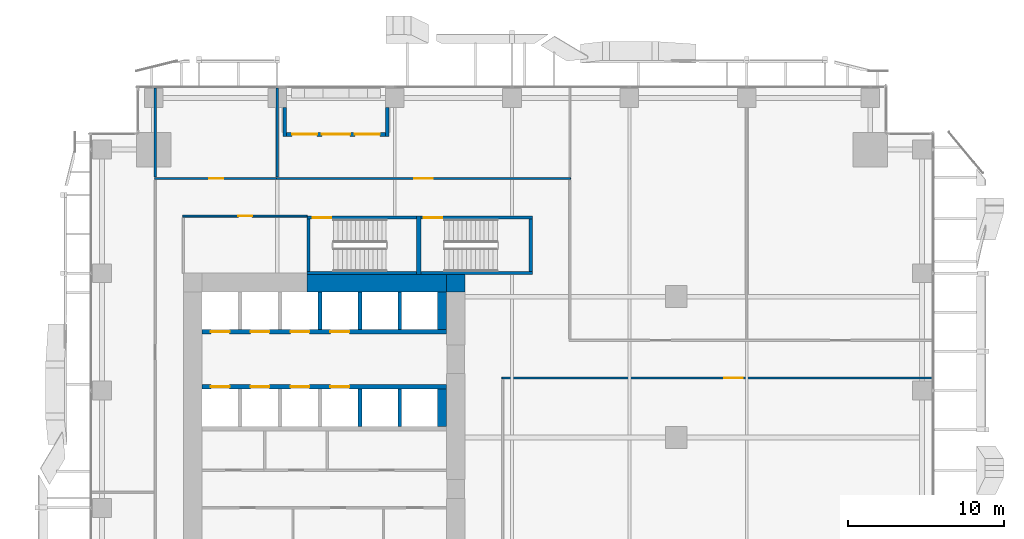
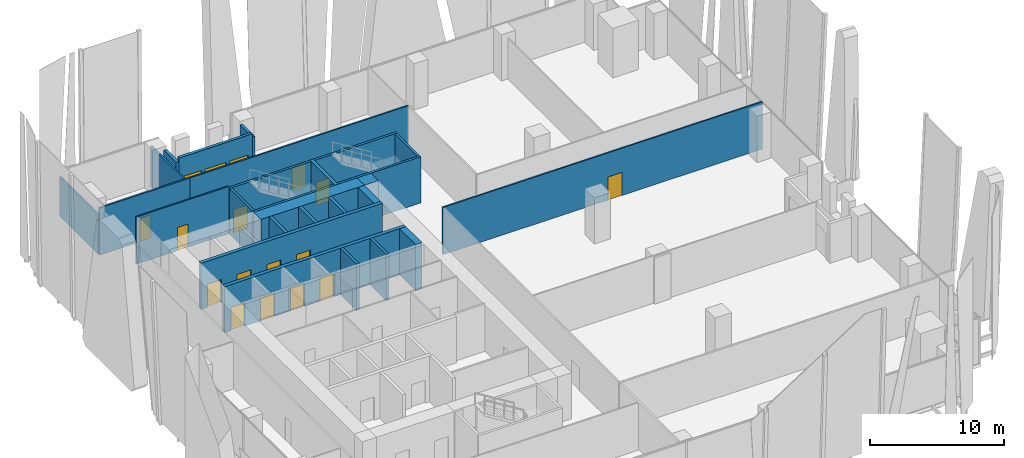
# One storey, part 28 of 34: 27 walls, 15 doors, 2 windows, 17 openings.
"""IFC4 building model written with IfcOpenShell, lengths in metres."""

from ifc_helpers import new_model, si_unit, direction, frame, frame_2d, origin, place, context, subcontext, project, spatial, rectangle, extrude, source, transform, mapped, material, layer, layer_set, type_object, element, fill, save


model = new_model("IFC4")

# Units and contexts
model_context = context("Model", 3, precision=1e-05, world=origin(), true_north=direction((0.0, 1.0)))
body_context = subcontext(model_context, "Body", "Model", "MODEL_VIEW")
ifc_project = project(units=[si_unit("LENGTHUNIT", "METRE"), si_unit("AREAUNIT", "SQUARE_METRE"), si_unit("VOLUMEUNIT", "CUBIC_METRE"), si_unit("PLANEANGLEUNIT", "RADIAN"), si_unit("MASSUNIT", "GRAM", prefix="KILO")], contexts=[model_context])

# Site, building, storey
site_placement = place(None, origin())
site = spatial("IfcSite", under=ifc_project, at=site_placement, CompositionType="ELEMENT")
building_placement = place(site_placement, origin())
building = spatial("IfcBuilding", under=site, at=building_placement, Name="Khomas Fold Tower", CompositionType="ELEMENT")
storey_placement = place(building_placement, frame((0.0, 0.0, 73.5)))
storey = spatial("IfcBuildingStorey", under=building, at=storey_placement, Name="L15", CompositionType="ELEMENT", Elevation=73.5)

# Walls
ifc_material_1 = material(Name="Concrete C70/85", Category="concrete")
ifc_layer_1 = layer(ifc_material_1, 1.10009765625)
ifc_layer_set_1 = layer_set([ifc_layer_1], Name="Concrete C70/85")
wall_type_1 = type_object("IfcWallType", Name="Core wall 1100", PredefinedType="SHEAR", material=ifc_layer_set_1)
shared_shape_1 = source(origin(), body_context, "Body", "SweptSolid", [
    extrude(rectangle(XDim=8.900146484375, YDim=1.10009765625, at=frame_2d((4.4501953125, 0.0))), origin(), (0.0, 0.0, 1.0), 4.199951171875),
])
wall_1_placement = place(storey_placement, frame((13.89990234375, 41.35009765625, 0.0), z_axis=(0.0, 0.0, 1.0), x_axis=(1.0, 0.0, 0.0)))
element("IfcWall", 1, at=wall_1_placement, inside=storey, type_object=wall_type_1, Name="Core wall CW-L-N-B2-1", PredefinedType="SHEAR", context=body_context, shape_type="MappedRepresentation", body=[
    mapped(shared_shape_1, transform((0.0, 0.0, 0.0))),
])
ifc_material_2 = material(Name="Concrete C70/85", Category="concrete")
ifc_layer_2 = layer(ifc_material_2, 1.10009765625)
ifc_layer_set_2 = layer_set([ifc_layer_2], Name="Concrete C70/85")
wall_type_2 = type_object("IfcWallType", Name="Core corner wall 1100", PredefinedType="SHEAR", material=ifc_layer_set_2)
shared_shape_2 = source(origin(), body_context, "Body", "SweptSolid", [
    extrude(rectangle(XDim=1.199951171875, YDim=1.10009765625, at=frame_2d((0.60009765625, 0.0))), origin(), (0.0, 0.0, 1.0), 4.199951171875),
])
wall_2_placement = place(storey_placement, frame((22.800048828125, 41.35009765625, 0.0), z_axis=(0.0, 0.0, 1.0), x_axis=(1.0, 0.0, 0.0)))
element("IfcWall", 2, at=wall_2_placement, inside=storey, type_object=wall_type_2, Name="Core wall CW-L-NE-B2", PredefinedType="SHEAR", context=body_context, shape_type="MappedRepresentation", body=[
    mapped(shared_shape_2, transform((0.0, 0.0, 0.0))),
])

# Wall, opening, door
ifc_material_3 = material(Name="Concrete C50/60", Category="concrete")
ifc_layer_3 = layer(ifc_material_3, 0.199951171875)
ifc_layer_set_3 = layer_set([ifc_layer_3], Name="Concrete C50/60")
wall_type_3 = type_object("IfcWallType", Name="Stair wall 200", PredefinedType="SHEAR", material=ifc_layer_set_3)
shared_shape_3 = source(origin(), body_context, "Body", "SweptSolid", [
    extrude(rectangle(XDim=7.0, YDim=0.199951171875, at=frame_2d((3.5, 0.0))), origin(), (0.0, 0.0, 1.0), 4.199951171875),
])
wall_3_placement = place(storey_placement, frame((13.89990234375, 45.550048828125, 0.0), z_axis=(0.0, 0.0, 1.0), x_axis=(1.0, 0.0, 0.0)))
wall_3 = element("IfcWall", 3, at=wall_3_placement, inside=storey, type_object=wall_type_3, Name="Stair wall SW-ST1-N", PredefinedType="SHEAR", context=body_context, shape_type="MappedRepresentation", body=[
    mapped(shared_shape_3, transform((0.0, 0.0, 0.0))),
])
shared_shape_4 = source(origin(), body_context, "Body", "SweptSolid", [
    extrude(rectangle(XDim=1.199951171875, YDim=2.10009765625, at=frame_2d((0.60009765625, 1.050048828125))), frame((0.0, 0.10986328125, 0.0), z_axis=(0.0, -1.0, 0.0), x_axis=(1.0, 0.0, 0.0)), (0.0, 0.0, 1.0), 0.219970703125),
])
opening_1_placement = place(wall_3_placement, frame((0.35009765625, 0.0, 0.0)))
opening_1 = element("IfcOpeningElement", 4, at=opening_1_placement, cuts=wall_3, Name="Opening SD-ST1", PredefinedType="OPENING", context=body_context, shape_type="MappedRepresentation", body=[
    mapped(shared_shape_4, transform((0.0, 0.0, 0.0))),
])
ifc_material_4 = material(Name="Steel door leaf", Category="steel")
door_type_1 = type_object("IfcDoorType", Name="Stair door 1200x2100 left-hand", OperationType="SINGLE_SWING_LEFT", PredefinedType="DOOR", material=ifc_material_4)
shared_shape_5 = source(origin(), body_context, "Body", "SweptSolid", [
    extrude(rectangle(XDim=1.199951171875, YDim=2.10009765625, at=frame_2d((0.60009765625, 1.050048828125))), frame((0.0, 0.02490234375, 0.0), z_axis=(0.0, -1.0, 0.0), x_axis=(1.0, 0.0, 0.0)), (0.0, 0.0, 1.0), 0.050048828125),
])
door_1_placement = place(opening_1_placement, origin())
door_1 = element("IfcDoor", 5, at=door_1_placement, inside=storey, type_object=door_type_1, Name="Stair door", OperationType="SINGLE_SWING_LEFT", OverallHeight=2.10009765625, OverallWidth=1.199951171875, PredefinedType="DOOR", context=body_context, shape_type="MappedRepresentation", body=[
    mapped(shared_shape_5, transform((0.0, 0.0, 0.0))),
])
fill(opening_1, door_1)

# Wall
wall_4_placement = place(storey_placement, frame((13.89990234375, 42.0, 0.0), z_axis=(0.0, 0.0, 1.0), x_axis=(1.0, 0.0, 0.0)))
element("IfcWall", 6, at=wall_4_placement, inside=storey, type_object=wall_type_3, Name="Stair wall SW-ST1-S", PredefinedType="SHEAR", context=body_context, shape_type="MappedRepresentation", body=[
    mapped(shared_shape_3, transform((0.0, 0.0, 0.0))),
])

# Wall, opening, door
shared_shape_6 = source(origin(), body_context, "Body", "SweptSolid", [
    extrude(rectangle(XDim=7.10009765625, YDim=0.199951171875, at=frame_2d((3.550048828125, 0.0))), origin(), (0.0, 0.0, 1.0), 4.199951171875),
])
wall_5_placement = place(storey_placement, frame((21.199951171875, 45.550048828125, 0.0), z_axis=(0.0, 0.0, 1.0), x_axis=(1.0, 0.0, 0.0)))
wall_5 = element("IfcWall", 7, at=wall_5_placement, inside=storey, type_object=wall_type_3, Name="Stair wall SW-ST3-N", PredefinedType="SHEAR", context=body_context, shape_type="MappedRepresentation", body=[
    mapped(shared_shape_6, transform((0.0, 0.0, 0.0))),
])
opening_2_placement = place(wall_5_placement, frame((0.14990234375, 0.0, 0.0)))
opening_2 = element("IfcOpeningElement", 8, at=opening_2_placement, cuts=wall_5, Name="Opening SD-ST3", PredefinedType="OPENING", context=body_context, shape_type="MappedRepresentation", body=[
    mapped(shared_shape_4, transform((0.0, 0.0, 0.0))),
])
door_2_placement = place(opening_2_placement, origin())
door_2 = element("IfcDoor", 9, at=door_2_placement, inside=storey, type_object=door_type_1, Name="Stair door", OperationType="SINGLE_SWING_LEFT", OverallHeight=2.10009765625, OverallWidth=1.199951171875, PredefinedType="DOOR", context=body_context, shape_type="MappedRepresentation", body=[
    mapped(shared_shape_5, transform((0.0, 0.0, 0.0))),
])
fill(opening_2, door_2)

# Walls
wall_6_placement = place(storey_placement, frame((21.199951171875, 42.0, 0.0), z_axis=(0.0, 0.0, 1.0), x_axis=(1.0, 0.0, 0.0)))
element("IfcWall", 10, at=wall_6_placement, inside=storey, type_object=wall_type_3, Name="Stair wall SW-ST3-S", PredefinedType="SHEAR", context=body_context, shape_type="MappedRepresentation", body=[
    mapped(shared_shape_6, transform((0.0, 0.0, 0.0))),
])
ifc_material_5 = material(Name="Concrete C50/60", Category="concrete")
ifc_layer_4 = layer(ifc_material_5, 0.300048828125)
ifc_layer_set_4 = layer_set([ifc_layer_4], Name="Concrete C50/60")
wall_type_4 = type_object("IfcWallType", Name="Stair wall 300", PredefinedType="SHEAR", material=ifc_layer_set_4)
shared_shape_7 = source(origin(), body_context, "Body", "SweptSolid", [
    extrude(rectangle(XDim=3.75, YDim=0.300048828125, at=frame_2d((1.875, 0.0))), origin(), (0.0, 0.0, 1.0), 4.199951171875),
])
wall_7_placement = place(storey_placement, frame((21.050048828125, 41.89990234375, 0.0), z_axis=(0.0, 0.0, 1.0), x_axis=(0.0, 1.0, 0.0)))
element("IfcWall", 11, at=wall_7_placement, inside=storey, type_object=wall_type_4, Name="Stair wall SW-ST1-E", PredefinedType="SHEAR", context=body_context, shape_type="MappedRepresentation", body=[
    mapped(shared_shape_7, transform((0.0, 0.0, 0.0))),
])
shared_shape_8 = source(origin(), body_context, "Body", "SweptSolid", [
    extrude(rectangle(XDim=3.349853515625, YDim=0.199951171875, at=frame_2d((1.6748046875, 0.0))), origin(), (0.0, 0.0, 1.0), 4.199951171875),
])
for number, where, z_axis, x_axis, name in (
    (12, (14.0, 42.10009765625, 0.0), (0.0, 0.0, 1.0), (0.0, 1.0, 0.0), "Stair wall SW-ST1-W"),
    (13, (28.199951171875, 42.10009765625, 0.0), (0.0, 0.0, 1.0), (0.0, 1.0, 0.0), "Stair wall SW-ST3-E"),
):
    element("IfcWall", number, at=place(storey_placement, frame(where, z_axis=z_axis, x_axis=x_axis)), inside=storey, type_object=wall_type_3, Name=name, PredefinedType="SHEAR", context=body_context, shape_type="MappedRepresentation", body=[
        mapped(shared_shape_8, transform((0.0, 0.0, 0.0))),
    ])

# Wall, openings, doors
ifc_material_6 = material(Name="Concrete C50/60", Category="concrete")
ifc_layer_5 = layer(ifc_material_6, 0.300048828125)
ifc_layer_set_5 = layer_set([ifc_layer_5], Name="Concrete C50/60")
wall_type_5 = type_object("IfcWallType", Name="Shaft wall 300", PredefinedType="STANDARD", material=ifc_layer_set_5)
shared_shape_9 = source(origin(), body_context, "Body", "SweptSolid", [
    extrude(rectangle(XDim=15.60009765625, YDim=0.300048828125, at=frame_2d((7.800048828125, 0.0))), origin(), (0.0, 0.0, 1.0), 4.199951171875),
])
wall_8_placement = place(storey_placement, frame((7.199951171875, 38.25, 0.0), z_axis=(0.0, 0.0, 1.0), x_axis=(1.0, 0.0, 0.0)))
wall_8 = element("IfcWall", 14, at=wall_8_placement, inside=storey, type_object=wall_type_5, Name="Core wall SW-LRN-F", PredefinedType="STANDARD", context=body_context, shape_type="MappedRepresentation", body=[
    mapped(shared_shape_9, transform((0.0, 0.0, 0.0))),
])
shared_shape_10 = source(origin(), body_context, "Body", "SweptSolid", [
    extrude(rectangle(XDim=1.199951171875, YDim=2.10009765625, at=frame_2d((0.60009765625, 1.050048828125))), frame((0.0, 0.159912109375, 0.0), z_axis=(0.0, -1.0, 0.0), x_axis=(1.0, 0.0, 0.0)), (0.0, 0.0, 1.0), 0.320068359375),
])
opening_3_placement = place(wall_8_placement, frame((0.550048828125, 0.0, 0.0)))
opening_3 = element("IfcOpeningElement", 15, at=opening_3_placement, cuts=wall_8, Name="Opening LD-LR5", PredefinedType="OPENING", context=body_context, shape_type="MappedRepresentation", body=[
    mapped(shared_shape_10, transform((0.0, 0.0, 0.0))),
])
opening_4_placement = place(wall_8_placement, frame((3.10009765625, 0.0, 0.0)))
opening_4 = element("IfcOpeningElement", 16, at=opening_4_placement, cuts=wall_8, Name="Opening LD-LR6", PredefinedType="OPENING", context=body_context, shape_type="MappedRepresentation", body=[
    mapped(shared_shape_10, transform((0.0, 0.0, 0.0))),
])
opening_5_placement = place(wall_8_placement, frame((5.64990234375, 0.0, 0.0)))
opening_5 = element("IfcOpeningElement", 17, at=opening_5_placement, cuts=wall_8, Name="Opening LD-LR7", PredefinedType="OPENING", context=body_context, shape_type="MappedRepresentation", body=[
    mapped(shared_shape_10, transform((0.0, 0.0, 0.0))),
])
opening_6_placement = place(wall_8_placement, frame((8.199951171875, 0.0, 0.0)))
opening_6 = element("IfcOpeningElement", 18, at=opening_6_placement, cuts=wall_8, Name="Opening LD-LR8", PredefinedType="OPENING", context=body_context, shape_type="MappedRepresentation", body=[
    mapped(shared_shape_10, transform((0.0, 0.0, 0.0))),
])
ifc_material_7 = material(Name="Steel door leaf", Category="steel")
door_type_2 = type_object("IfcDoorType", Name="Landing door 1200x2100", OperationType="DOUBLE_DOOR_SLIDING", PredefinedType="DOOR", material=ifc_material_7)
door_3_placement = place(opening_3_placement, origin())
door_3 = element("IfcDoor", 19, at=door_3_placement, inside=storey, type_object=door_type_2, Name="Lift landing door", OperationType="DOUBLE_DOOR_SLIDING", OverallHeight=2.10009765625, OverallWidth=1.199951171875, PredefinedType="DOOR", context=body_context, shape_type="MappedRepresentation", body=[
    mapped(shared_shape_5, transform((0.0, 0.0, 0.0))),
])
fill(opening_3, door_3)
door_4_placement = place(opening_4_placement, origin())
door_4 = element("IfcDoor", 20, at=door_4_placement, inside=storey, type_object=door_type_2, Name="Lift landing door", OperationType="DOUBLE_DOOR_SLIDING", OverallHeight=2.10009765625, OverallWidth=1.199951171875, PredefinedType="DOOR", context=body_context, shape_type="MappedRepresentation", body=[
    mapped(shared_shape_5, transform((0.0, 0.0, 0.0))),
])
fill(opening_4, door_4)
door_5_placement = place(opening_5_placement, origin())
door_5 = element("IfcDoor", 21, at=door_5_placement, inside=storey, type_object=door_type_2, Name="Lift landing door", OperationType="DOUBLE_DOOR_SLIDING", OverallHeight=2.10009765625, OverallWidth=1.199951171875, PredefinedType="DOOR", context=body_context, shape_type="MappedRepresentation", body=[
    mapped(shared_shape_5, transform((0.0, 0.0, 0.0))),
])
fill(opening_5, door_5)
door_6_placement = place(opening_6_placement, origin())
door_6 = element("IfcDoor", 22, at=door_6_placement, inside=storey, type_object=door_type_2, Name="Lift landing door", OperationType="DOUBLE_DOOR_SLIDING", OverallHeight=2.10009765625, OverallWidth=1.199951171875, PredefinedType="DOOR", context=body_context, shape_type="MappedRepresentation", body=[
    mapped(shared_shape_5, transform((0.0, 0.0, 0.0))),
])
fill(opening_6, door_6)

wall_9_placement = place(storey_placement, frame((7.199951171875, 34.75, 0.0), z_axis=(0.0, 0.0, 1.0), x_axis=(1.0, 0.0, 0.0)))
wall_9 = element("IfcWall", 23, at=wall_9_placement, inside=storey, type_object=wall_type_5, Name="Core wall SW-LRS-F", PredefinedType="STANDARD", context=body_context, shape_type="MappedRepresentation", body=[
    mapped(shared_shape_9, transform((0.0, 0.0, 0.0))),
])
opening_7_placement = place(wall_9_placement, frame((0.550048828125, 0.0, 0.0)))
opening_7 = element("IfcOpeningElement", 24, at=opening_7_placement, cuts=wall_9, Name="Opening LD-LR1", PredefinedType="OPENING", context=body_context, shape_type="MappedRepresentation", body=[
    mapped(shared_shape_10, transform((0.0, 0.0, 0.0))),
])
opening_8_placement = place(wall_9_placement, frame((3.10009765625, 0.0, 0.0)))
opening_8 = element("IfcOpeningElement", 25, at=opening_8_placement, cuts=wall_9, Name="Opening LD-LR2", PredefinedType="OPENING", context=body_context, shape_type="MappedRepresentation", body=[
    mapped(shared_shape_10, transform((0.0, 0.0, 0.0))),
])
opening_9_placement = place(wall_9_placement, frame((5.64990234375, 0.0, 0.0)))
opening_9 = element("IfcOpeningElement", 26, at=opening_9_placement, cuts=wall_9, Name="Opening LD-LR3", PredefinedType="OPENING", context=body_context, shape_type="MappedRepresentation", body=[
    mapped(shared_shape_10, transform((0.0, 0.0, 0.0))),
])
opening_10_placement = place(wall_9_placement, frame((8.199951171875, 0.0, 0.0)))
opening_10 = element("IfcOpeningElement", 27, at=opening_10_placement, cuts=wall_9, Name="Opening LD-LR4", PredefinedType="OPENING", context=body_context, shape_type="MappedRepresentation", body=[
    mapped(shared_shape_10, transform((0.0, 0.0, 0.0))),
])
door_7_placement = place(opening_7_placement, origin())
door_7 = element("IfcDoor", 28, at=door_7_placement, inside=storey, type_object=door_type_2, Name="Lift landing door", OperationType="DOUBLE_DOOR_SLIDING", OverallHeight=2.10009765625, OverallWidth=1.199951171875, PredefinedType="DOOR", context=body_context, shape_type="MappedRepresentation", body=[
    mapped(shared_shape_5, transform((0.0, 0.0, 0.0))),
])
fill(opening_7, door_7)
door_8_placement = place(opening_8_placement, origin())
door_8 = element("IfcDoor", 29, at=door_8_placement, inside=storey, type_object=door_type_2, Name="Lift landing door", OperationType="DOUBLE_DOOR_SLIDING", OverallHeight=2.10009765625, OverallWidth=1.199951171875, PredefinedType="DOOR", context=body_context, shape_type="MappedRepresentation", body=[
    mapped(shared_shape_5, transform((0.0, 0.0, 0.0))),
])
fill(opening_8, door_8)
door_9_placement = place(opening_9_placement, origin())
door_9 = element("IfcDoor", 30, at=door_9_placement, inside=storey, type_object=door_type_2, Name="Lift landing door", OperationType="DOUBLE_DOOR_SLIDING", OverallHeight=2.10009765625, OverallWidth=1.199951171875, PredefinedType="DOOR", context=body_context, shape_type="MappedRepresentation", body=[
    mapped(shared_shape_5, transform((0.0, 0.0, 0.0))),
])
fill(opening_9, door_9)
door_10_placement = place(opening_10_placement, origin())
door_10 = element("IfcDoor", 31, at=door_10_placement, inside=storey, type_object=door_type_2, Name="Lift landing door", OperationType="DOUBLE_DOOR_SLIDING", OverallHeight=2.10009765625, OverallWidth=1.199951171875, PredefinedType="DOOR", context=body_context, shape_type="MappedRepresentation", body=[
    mapped(shared_shape_5, transform((0.0, 0.0, 0.0))),
])
fill(opening_10, door_10)

# Walls
ifc_material_8 = material(Name="Concrete C50/60", Category="concrete")
ifc_layer_6 = layer(ifc_material_8, 0.25)
ifc_layer_set_6 = layer_set([ifc_layer_6], Name="Concrete C50/60")
wall_type_6 = type_object("IfcWallType", Name="Shaft wall 250", PredefinedType="STANDARD", material=ifc_layer_set_6)
shared_shape_11 = source(origin(), body_context, "Body", "SweptSolid", [
    extrude(rectangle(XDim=2.400146484375, YDim=0.25, at=frame_2d((1.2001953125, 0.0))), origin(), (0.0, 0.0, 1.0), 4.199951171875),
])
for number, where, z_axis, x_axis, name in (
    (32, (14.72509765625, 38.39990234375, 0.0), (0.0, 0.0, 1.0), (0.0, 1.0, 0.0), "Core wall SW-LRN-P3"),
    (33, (17.27490234375, 38.39990234375, 0.0), (0.0, 0.0, 1.0), (0.0, 1.0, 0.0), "Core wall SW-LRN-P4"),
    (34, (19.824951171875, 38.39990234375, 0.0), (0.0, 0.0, 1.0), (0.0, 1.0, 0.0), "Core wall SW-LRN-P5"),
    (35, (17.27490234375, 32.199951171875, 0.0), (0.0, 0.0, 1.0), (0.0, 1.0, 0.0), "Core wall SW-LRS-P4"),
    (36, (19.824951171875, 32.199951171875, 0.0), (0.0, 0.0, 1.0), (0.0, 1.0, 0.0), "Core wall SW-LRS-P5"),
):
    element("IfcWall", number, at=place(storey_placement, frame(where, z_axis=z_axis, x_axis=x_axis)), inside=storey, type_object=wall_type_6, Name=name, PredefinedType="STANDARD", context=body_context, shape_type="MappedRepresentation", body=[
        mapped(shared_shape_11, transform((0.0, 0.0, 0.0))),
    ])
ifc_material_9 = material(Name="Concrete C50/60", Category="concrete")
ifc_layer_7 = layer(ifc_material_9, 0.550048828125)
ifc_layer_set_7 = layer_set([ifc_layer_7], Name="Concrete C50/60")
wall_type_7 = type_object("IfcWallType", Name="Shaft wall 550", PredefinedType="STANDARD", material=ifc_layer_set_7)
shared_shape_12 = source(origin(), body_context, "Body", "SweptSolid", [
    extrude(rectangle(XDim=2.400146484375, YDim=0.550048828125, at=frame_2d((1.2001953125, 0.0))), origin(), (0.0, 0.0, 1.0), 4.199951171875),
])
for number, where, z_axis, x_axis, name in (
    (37, (22.52490234375, 38.39990234375, 0.0), (0.0, 0.0, 1.0), (0.0, 1.0, 0.0), "Core wall SW-LRN-PE"),
    (38, (22.52490234375, 32.199951171875, 0.0), (0.0, 0.0, 1.0), (0.0, 1.0, 0.0), "Core wall SW-LRS-PE"),
):
    element("IfcWall", number, at=place(storey_placement, frame(where, z_axis=z_axis, x_axis=x_axis)), inside=storey, type_object=wall_type_7, Name=name, PredefinedType="STANDARD", context=body_context, shape_type="MappedRepresentation", body=[
        mapped(shared_shape_12, transform((0.0, 0.0, 0.0))),
    ])
ifc_material_10 = material(Name="Natural stone", Category="masonry")
ifc_layer_8 = layer(ifc_material_10, 0.0400390625)
ifc_material_11 = material(Name="Mineral wool insulation", Category="insulation")
ifc_layer_9 = layer(ifc_material_11, 0.10009765625)
ifc_material_12 = material(Name="Masonry", Category="masonry")
ifc_layer_10 = layer(ifc_material_12, 0.110107421875)
ifc_layer_set_8 = layer_set([ifc_layer_8, ifc_layer_9, ifc_layer_10], Name="Stone-faced insulated masonry")
wall_type_8 = type_object("IfcWallType", Name="BL-Balcony wall", PredefinedType="SOLIDWALL", material=ifc_layer_set_8)
shared_shape_13 = source(origin(), body_context, "Body", "SweptSolid", [
    extrude(rectangle(XDim=1.85009765625, YDim=0.25, at=frame_2d((0.925048828125, 0.0))), origin(), (0.0, 0.0, 1.0), 3.89990234375),
])
for number, where, z_axis, x_axis, name in (
    (39, (12.47509765625, 52.60009765625, 0.0), (0.0, 0.0, 1.0), (0.0, -1.0, 0.0), "Balcony return wall BAL-L15-N1-lo"),
    (40, (19.02490234375, 52.60009765625, 0.0), (0.0, 0.0, 1.0), (0.0, -1.0, 0.0), "Balcony return wall BAL-L15-N1-hi"),
):
    element("IfcWall", number, at=place(storey_placement, frame(where, z_axis=z_axis, x_axis=x_axis)), inside=storey, type_object=wall_type_8, Name=name, PredefinedType="SOLIDWALL", context=body_context, shape_type="MappedRepresentation", body=[
        mapped(shared_shape_13, transform((0.0, 0.0, 0.0))),
    ])

# Wall, openings, windows, door
shared_shape_14 = source(origin(), body_context, "Body", "SweptSolid", [
    extrude(rectangle(XDim=6.2998046875, YDim=0.25, at=frame_2d((3.14990234375, 0.0))), origin(), (0.0, 0.0, 1.0), 4.199951171875),
])
wall_10_placement = place(storey_placement, frame((12.60009765625, 50.875, 0.0), z_axis=(0.0, 0.0, 1.0), x_axis=(1.0, 0.0, 0.0)))
wall_10 = element("IfcWall", 41, at=wall_10_placement, inside=storey, type_object=wall_type_8, Name="Balcony wall BAL-L15-N1", PredefinedType="SOLIDWALL", context=body_context, shape_type="MappedRepresentation", body=[
    mapped(shared_shape_14, transform((0.0, 0.0, 0.0))),
])
shared_shape_15 = source(origin(), body_context, "Body", "SweptSolid", [
    extrude(rectangle(XDim=1.60009765625, YDim=2.39990234375, at=frame_2d((0.800048828125, 1.199951171875))), frame((0.0, 0.135009765625, 0.0), z_axis=(0.0, -1.0, 0.0), x_axis=(1.0, 0.0, 0.0)), (0.0, 0.0, 1.0), 0.27001953125),
])
opening_11_placement = place(wall_10_placement, frame((0.35009765625, 0.0, 0.0)))
opening_11 = element("IfcOpeningElement", 42, at=opening_11_placement, cuts=wall_10, Name="Opening BL-W1", PredefinedType="OPENING", context=body_context, shape_type="MappedRepresentation", body=[
    mapped(shared_shape_15, transform((0.0, 0.0, 0.0))),
])
opening_12_placement = place(wall_10_placement, frame((4.35009765625, 0.0, 0.0)))
opening_12 = element("IfcOpeningElement", 43, at=opening_12_placement, cuts=wall_10, Name="Opening BL-W1", PredefinedType="OPENING", context=body_context, shape_type="MappedRepresentation", body=[
    mapped(shared_shape_15, transform((0.0, 0.0, 0.0))),
])
shared_shape_16 = source(origin(), body_context, "Body", "SweptSolid", [
    extrude(rectangle(XDim=1.800048828125, YDim=2.39990234375, at=frame_2d((0.89990234375, 1.199951171875))), frame((0.0, 0.135009765625, 0.0), z_axis=(0.0, -1.0, 0.0), x_axis=(1.0, 0.0, 0.0)), (0.0, 0.0, 1.0), 0.27001953125),
])
opening_13_placement = place(wall_10_placement, frame((2.25, 0.0, 0.0)))
opening_13 = element("IfcOpeningElement", 44, at=opening_13_placement, cuts=wall_10, Name="Opening BD152", PredefinedType="OPENING", context=body_context, shape_type="MappedRepresentation", body=[
    mapped(shared_shape_16, transform((0.0, 0.0, 0.0))),
])
ifc_material_13 = material(Name="Aluminium framed double glazing", Category="aluminium")
window_type = type_object("IfcWindowType", Name="BL-Fixed glazing 1600 x 2400", PartitioningType="SINGLE_PANEL", PredefinedType="WINDOW", material=ifc_material_13)
shared_shape_17 = source(origin(), body_context, "Body", "SweptSolid", [
    extrude(rectangle(XDim=1.60009765625, YDim=2.39990234375, at=frame_2d((0.800048828125, 1.199951171875))), frame((0.0, 0.030029296875, 0.0), z_axis=(0.0, -1.0, 0.0), x_axis=(1.0, 0.0, 0.0)), (0.0, 0.0, 1.0), 0.06005859375),
])
window_1_placement = place(opening_11_placement, origin())
window_1 = element("IfcWindow", 45, at=window_1_placement, inside=storey, type_object=window_type, Name="Balcony glazing BAL-L15-N1-1", OverallHeight=2.39990234375, OverallWidth=1.60009765625, PartitioningType="SINGLE_PANEL", PredefinedType="WINDOW", context=body_context, shape_type="MappedRepresentation", body=[
    mapped(shared_shape_17, transform((0.0, 0.0, 0.0))),
])
fill(opening_11, window_1)
window_2_placement = place(opening_12_placement, origin())
window_2 = element("IfcWindow", 46, at=window_2_placement, inside=storey, type_object=window_type, Name="Balcony glazing BAL-L15-N1-2", OverallHeight=2.39990234375, OverallWidth=1.60009765625, PartitioningType="SINGLE_PANEL", PredefinedType="WINDOW", context=body_context, shape_type="MappedRepresentation", body=[
    mapped(shared_shape_17, transform((0.0, 0.0, 0.0))),
])
fill(opening_12, window_2)
ifc_material_14 = material(Name="Aluminium framed double glazing", Category="aluminium")
door_type_3 = type_object("IfcDoorType", Name="BL-Glazed balcony door 1800 x 2400", OperationType="DOUBLE_DOOR_DOUBLE_SWING", PredefinedType="DOOR", material=ifc_material_14)
shared_shape_18 = source(origin(), body_context, "Body", "SweptSolid", [
    extrude(rectangle(XDim=1.800048828125, YDim=2.39990234375, at=frame_2d((0.89990234375, 1.199951171875))), frame((0.0, 0.02490234375, 0.0), z_axis=(0.0, -1.0, 0.0), x_axis=(1.0, 0.0, 0.0)), (0.0, 0.0, 1.0), 0.050048828125),
])
door_11_placement = place(opening_13_placement, origin())
door_11 = element("IfcDoor", 47, at=door_11_placement, inside=storey, type_object=door_type_3, Name="Balcony door BD152", OperationType="DOUBLE_DOOR_DOUBLE_SWING", OverallHeight=2.39990234375, OverallWidth=1.800048828125, PredefinedType="DOOR", context=body_context, shape_type="MappedRepresentation", body=[
    mapped(shared_shape_18, transform((0.0, 0.0, 0.0))),
])
fill(opening_13, door_11)

# Wall, opening, door
ifc_material_15 = material(Name="Plasterboard partition")
ifc_layer_11 = layer(ifc_material_15, 0.125)
ifc_layer_set_9 = layer_set([ifc_layer_11], Name="Plasterboard partition")
wall_type_9 = type_object("IfcWallType", Name="Partition PW2 125", PredefinedType="PARTITIONING", material=ifc_layer_set_9)
shared_shape_19 = source(origin(), body_context, "Body", "SweptSolid", [
    extrude(rectangle(XDim=27.5, YDim=0.125, at=frame_2d((13.75, 0.0))), origin(), (0.0, 0.0, 1.0), 4.300048828125),
])
wall_11_placement = place(storey_placement, frame((26.35009765625, 35.300048828125, 0.0), z_axis=(0.0, 0.0, 1.0), x_axis=(1.0, 0.0, 0.0)))
wall_11 = element("IfcWall", 48, at=wall_11_placement, inside=storey, type_object=wall_type_9, Name="Partition", PredefinedType="PARTITIONING", context=body_context, shape_type="MappedRepresentation", body=[
    mapped(shared_shape_19, transform((0.0, 0.0, 0.0))),
])
shared_shape_20 = source(origin(), body_context, "Body", "SweptSolid", [
    extrude(rectangle(XDim=1.199951171875, YDim=2.10009765625, at=frame_2d((0.60009765625, 1.050048828125))), frame((0.0, 0.072509765625, 0.0), z_axis=(0.0, -1.0, 0.0), x_axis=(1.0, 0.0, 0.0)), (0.0, 0.0, 1.0), 0.14501953125),
])
opening_14_placement = place(wall_11_placement, frame((14.199951171875, 0.0, 0.0)))
opening_14 = element("IfcOpeningElement", 49, at=opening_14_placement, cuts=wall_11, Name="Opening 0013", PredefinedType="OPENING", context=body_context, shape_type="MappedRepresentation", body=[
    mapped(shared_shape_20, transform((0.0, 0.0, 0.0))),
])
ifc_material_16 = material(Name="Timber door leaf", Category="wood")
door_type_4 = type_object("IfcDoorType", Name="Door 1200x2100 left-hand", OperationType="SINGLE_SWING_LEFT", PredefinedType="DOOR", material=ifc_material_16)
door_12_placement = place(opening_14_placement, origin())
door_12 = element("IfcDoor", 50, at=door_12_placement, inside=storey, type_object=door_type_4, Name="Door", OperationType="SINGLE_SWING_LEFT", OverallHeight=2.10009765625, OverallWidth=1.199951171875, PredefinedType="DOOR", context=body_context, shape_type="MappedRepresentation", body=[
    mapped(shared_shape_5, transform((0.0, 0.0, 0.0))),
])
fill(opening_14, door_12)

shared_shape_21 = source(origin(), body_context, "Body", "SweptSolid", [
    extrude(rectangle(XDim=7.949951171875, YDim=0.125, at=frame_2d((3.97509765625, 0.0))), origin(), (0.0, 0.0, 1.0), 4.300048828125),
])
wall_12_placement = place(storey_placement, frame((5.949951171875, 45.64990234375, 0.0), z_axis=(0.0, 0.0, 1.0), x_axis=(1.0, 0.0, 0.0)))
wall_12 = element("IfcWall", 51, at=wall_12_placement, inside=storey, type_object=wall_type_9, Name="Partition", PredefinedType="PARTITIONING", context=body_context, shape_type="MappedRepresentation", body=[
    mapped(shared_shape_21, transform((0.0, 0.0, 0.0))),
])
shared_shape_22 = source(origin(), body_context, "Body", "SweptSolid", [
    extrude(rectangle(XDim=0.89990234375, YDim=2.10009765625, at=frame_2d((0.449951171875, 1.050048828125))), frame((0.0, 0.072509765625, 0.0), z_axis=(0.0, -1.0, 0.0), x_axis=(1.0, 0.0, 0.0)), (0.0, 0.0, 1.0), 0.14501953125),
])
opening_15_placement = place(wall_12_placement, frame((3.550048828125, 0.0, 0.0)))
opening_15 = element("IfcOpeningElement", 52, at=opening_15_placement, cuts=wall_12, Name="Opening 0008", PredefinedType="OPENING", context=body_context, shape_type="MappedRepresentation", body=[
    mapped(shared_shape_22, transform((0.0, 0.0, 0.0))),
])
ifc_material_17 = material(Name="Timber door leaf", Category="wood")
door_type_5 = type_object("IfcDoorType", Name="Door 900x2100 right-hand", OperationType="SINGLE_SWING_RIGHT", PredefinedType="DOOR", material=ifc_material_17)
shared_shape_23 = source(origin(), body_context, "Body", "SweptSolid", [
    extrude(rectangle(XDim=0.89990234375, YDim=2.10009765625, at=frame_2d((0.449951171875, 1.050048828125))), frame((0.0, 0.02490234375, 0.0), z_axis=(0.0, -1.0, 0.0), x_axis=(1.0, 0.0, 0.0)), (0.0, 0.0, 1.0), 0.050048828125),
])
door_13_placement = place(opening_15_placement, origin())
door_13 = element("IfcDoor", 53, at=door_13_placement, inside=storey, type_object=door_type_5, Name="Door", OperationType="SINGLE_SWING_RIGHT", OverallHeight=2.10009765625, OverallWidth=0.89990234375, PredefinedType="DOOR", context=body_context, shape_type="MappedRepresentation", body=[
    mapped(shared_shape_23, transform((0.0, 0.0, 0.0))),
])
fill(opening_15, door_13)

ifc_material_18 = material(Name="Plasterboard fire partition")
ifc_layer_12 = layer(ifc_material_18, 0.14990234375)
ifc_layer_set_10 = layer_set([ifc_layer_12], Name="Plasterboard fire partition")
wall_type_10 = type_object("IfcWallType", Name="Plant room wall PW3 150", PredefinedType="PARTITIONING", material=ifc_layer_set_10)
shared_shape_24 = source(origin(), body_context, "Body", "SweptSolid", [
    extrude(rectangle(XDim=7.800048828125, YDim=0.14990234375, at=frame_2d((3.89990234375, 0.0))), origin(), (0.0, 0.0, 1.0), 4.300048828125),
])
wall_13_placement = place(storey_placement, frame((4.14990234375, 48.050048828125, 0.0), z_axis=(0.0, 0.0, 1.0), x_axis=(1.0, 0.0, 0.0)))
wall_13 = element("IfcWall", 54, at=wall_13_placement, inside=storey, type_object=wall_type_10, Name="Plant room wall", PredefinedType="PARTITIONING", context=body_context, shape_type="MappedRepresentation", body=[
    mapped(shared_shape_24, transform((0.0, 0.0, 0.0))),
])
shared_shape_25 = source(origin(), body_context, "Body", "SweptSolid", [
    extrude(rectangle(XDim=0.89990234375, YDim=2.10009765625, at=frame_2d((0.449951171875, 1.050048828125))), frame((0.0, 0.0849609375, 0.0), z_axis=(0.0, -1.0, 0.0), x_axis=(1.0, 0.0, 0.0)), (0.0, 0.0, 1.0), 0.169921875),
])
opening_16_placement = place(wall_13_placement, frame((3.5, 0.0, 0.0)))
opening_16 = element("IfcOpeningElement", 55, at=opening_16_placement, cuts=wall_13, Name="Opening 0002", PredefinedType="OPENING", context=body_context, shape_type="MappedRepresentation", body=[
    mapped(shared_shape_25, transform((0.0, 0.0, 0.0))),
])
ifc_material_19 = material(Name="Steel door leaf", Category="steel")
door_type_6 = type_object("IfcDoorType", Name="Plant room door 900x2100 left-hand", OperationType="SINGLE_SWING_LEFT", PredefinedType="DOOR", material=ifc_material_19)
door_14_placement = place(opening_16_placement, origin())
door_14 = element("IfcDoor", 56, at=door_14_placement, inside=storey, type_object=door_type_6, Name="Plant room door", OperationType="SINGLE_SWING_LEFT", OverallHeight=2.10009765625, OverallWidth=0.89990234375, PredefinedType="DOOR", context=body_context, shape_type="MappedRepresentation", body=[
    mapped(shared_shape_23, transform((0.0, 0.0, 0.0))),
])
fill(opening_16, door_14)

shared_shape_26 = source(origin(), body_context, "Body", "SweptSolid", [
    extrude(rectangle(XDim=18.800048828125, YDim=0.125, at=frame_2d((9.39990234375, 0.0))), origin(), (0.0, 0.0, 1.0), 4.300048828125),
])
wall_14_placement = place(storey_placement, frame((11.949951171875, 48.050048828125, 0.0), z_axis=(0.0, 0.0, 1.0), x_axis=(1.0, 0.0, 0.0)))
wall_14 = element("IfcWall", 57, at=wall_14_placement, inside=storey, type_object=wall_type_9, Name="Partition", PredefinedType="PARTITIONING", context=body_context, shape_type="MappedRepresentation", body=[
    mapped(shared_shape_26, transform((0.0, 0.0, 0.0))),
])
opening_17_placement = place(wall_14_placement, frame((8.800048828125, 0.0, 0.0)))
opening_17 = element("IfcOpeningElement", 58, at=opening_17_placement, cuts=wall_14, Name="Opening 0001", PredefinedType="OPENING", context=body_context, shape_type="MappedRepresentation", body=[
    mapped(shared_shape_20, transform((0.0, 0.0, 0.0))),
])
ifc_material_20 = material(Name="Timber door leaf", Category="wood")
door_type_7 = type_object("IfcDoorType", Name="Door 1200x2100 right-hand", OperationType="SINGLE_SWING_RIGHT", PredefinedType="DOOR", material=ifc_material_20)
door_15_placement = place(opening_17_placement, origin())
door_15 = element("IfcDoor", 59, at=door_15_placement, inside=storey, type_object=door_type_7, Name="Door", OperationType="SINGLE_SWING_RIGHT", OverallHeight=2.10009765625, OverallWidth=1.199951171875, PredefinedType="DOOR", context=body_context, shape_type="MappedRepresentation", body=[
    mapped(shared_shape_5, transform((0.0, 0.0, 0.0))),
])
fill(opening_17, door_15)

# Walls
shared_shape_27 = source(origin(), body_context, "Body", "SweptSolid", [
    extrude(rectangle(XDim=5.7001953125, YDim=0.14990234375, at=frame_2d((2.85009765625, 0.0))), origin(), (0.0, 0.0, 1.0), 3.60009765625),
])
wall_15_placement = place(storey_placement, frame((4.199951171875, 48.14990234375, 0.0), z_axis=(0.0, 0.0, 1.0), x_axis=(0.0, 1.0, 0.0)))
element("IfcWall", 60, at=wall_15_placement, inside=storey, type_object=wall_type_10, Name="Plant room wall", PredefinedType="PARTITIONING", context=body_context, shape_type="MappedRepresentation", body=[
    mapped(shared_shape_27, transform((0.0, 0.0, 0.0))),
])
shared_shape_28 = source(origin(), body_context, "Body", "SweptSolid", [
    extrude(rectangle(XDim=5.7001953125, YDim=0.14990234375, at=frame_2d((2.85009765625, 0.0))), origin(), (0.0, 0.0, 1.0), 3.699951171875),
])
wall_16_placement = place(storey_placement, frame((12.0, 48.14990234375, 0.0), z_axis=(0.0, 0.0, 1.0), x_axis=(0.0, 1.0, 0.0)))
element("IfcWall", 61, at=wall_16_placement, inside=storey, type_object=wall_type_10, Name="Plant room wall", PredefinedType="PARTITIONING", context=body_context, shape_type="MappedRepresentation", body=[
    mapped(shared_shape_28, transform((0.0, 0.0, 0.0))),
])

save(model, "model.ifc")
